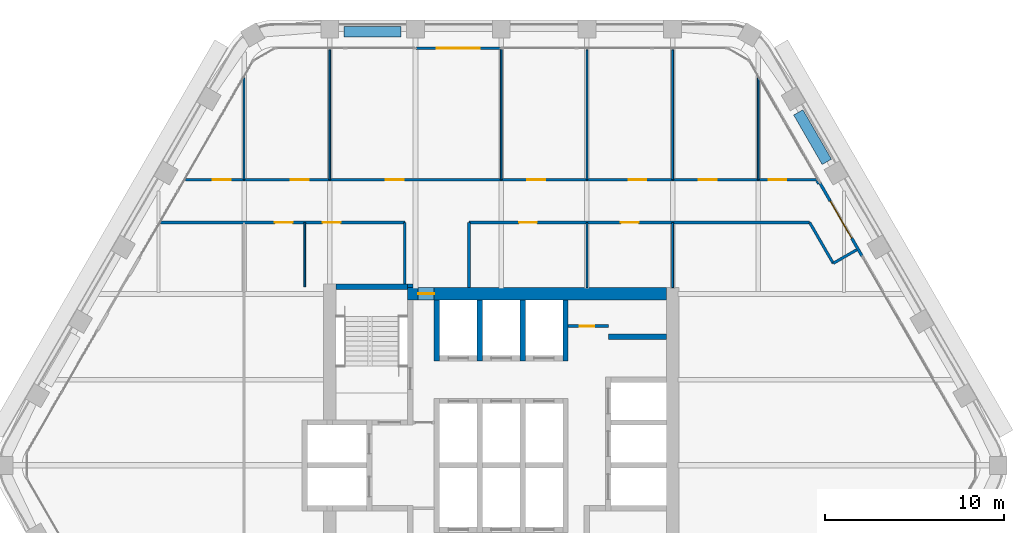
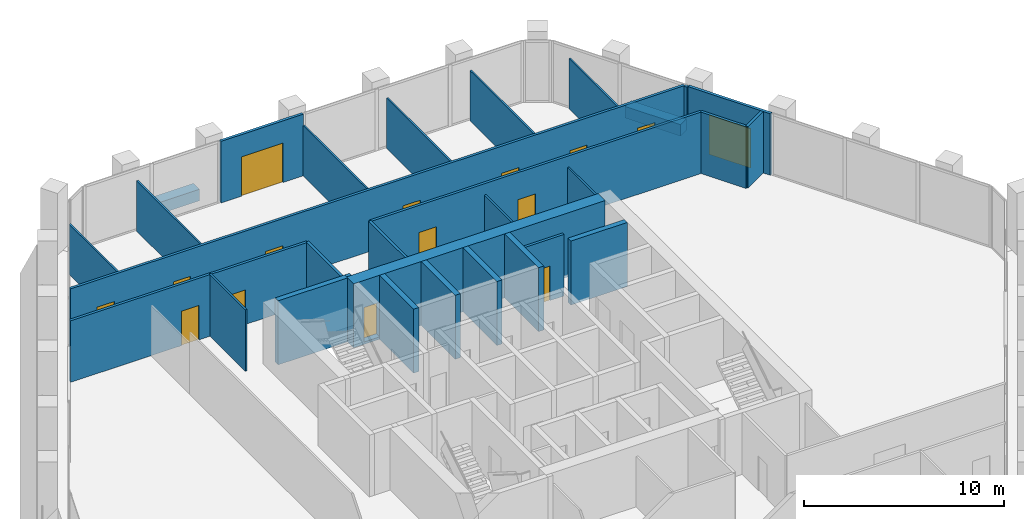
# One storey, part 11 of 15: 30 walls, 15 doors, 15 openings.
"""IFC4 building model written with IfcOpenShell, lengths in metres."""

from ifc_helpers import new_model, si_unit, direction, frame, frame_2d, origin, place, context, subcontext, project, spatial, rectangle, extrude, material, layer, layer_set, type_object, element, fill, save


model = new_model("IFC4")

# Units and contexts
model_context = context("Model", 3, precision=1e-05, world=origin(), true_north=direction((0.0, 1.0)))
body_context = subcontext(model_context, "Body", "Model", "MODEL_VIEW")
ifc_project = project(units=[si_unit("LENGTHUNIT", "METRE"), si_unit("AREAUNIT", "SQUARE_METRE"), si_unit("VOLUMEUNIT", "CUBIC_METRE"), si_unit("PLANEANGLEUNIT", "RADIAN"), si_unit("MASSUNIT", "GRAM", prefix="KILO")], contexts=[model_context])

# Site, building, storey
site_placement = place(None, origin())
site = spatial("IfcSite", under=ifc_project, at=site_placement, CompositionType="ELEMENT")
building_placement = place(site_placement, origin())
building = spatial("IfcBuilding", under=site, at=building_placement, Name="Kolab Exchange Tower", CompositionType="ELEMENT")
storey_placement = place(building_placement, frame((0.0, 0.0, 201.199951171875)))
storey = spatial("IfcBuildingStorey", under=building, at=storey_placement, Name="L43", CompositionType="ELEMENT", Elevation=201.199951171875)

# Wall, opening, door
ifc_material_1 = material(Name="Concrete C60/75", Category="concrete")
ifc_layer_1 = layer(ifc_material_1, 0.699951171875)
ifc_layer_set_1 = layer_set([ifc_layer_1], Name="Concrete C60/75")
wall_type_1 = type_object("IfcWallType", Name="CORE WALL 700 C60/75", PredefinedType="SHEAR", material=ifc_layer_set_1)
wall_1_placement = place(storey_placement, frame((-5.25, 9.60009765625, -0.14990234375), z_axis=(0.0, 0.0, 1.0), x_axis=(1.0, 0.0, 0.0)))
wall_1 = element("IfcWall", 1, at=wall_1_placement, inside=storey, type_object=wall_type_1, Name="wall/L43/core/031", PredefinedType="SHEAR", context=body_context, shape_type="SweptSolid", body=[
    extrude(rectangle(XDim=14.5, YDim=0.699951171875, at=frame_2d((7.25, 0.0))), origin(), (0.0, 0.0, 1.0), 3.89990234375),
])
opening_1_placement = place(wall_1_placement, frame((0.60009765625, 0.0, 0.14990234375)))
opening_1 = element("IfcOpeningElement", 2, at=opening_1_placement, cuts=wall_1, Name="Opening D6-289", PredefinedType="OPENING", context=body_context, shape_type="SweptSolid", body=[
    extrude(rectangle(XDim=0.89990234375, YDim=2.10009765625, at=frame_2d((0.449951171875, 1.050048828125))), frame((0.0, 0.35986328125, 0.0), z_axis=(0.0, -1.0, 0.0), x_axis=(1.0, 0.0, 0.0)), (0.0, 0.0, 1.0), 0.719970703125),
])
ifc_material_2 = material(Name="Steel S235", Category="steel")
door_type_1 = type_object("IfcDoorType", Name="CORE DOOR 900 EI 120", OperationType="SINGLE_SWING_LEFT", PredefinedType="DOOR", material=ifc_material_2)
door_1_placement = place(opening_1_placement, frame((0.89990234375, 0.0, 0.0), z_axis=(0.0, 0.0, 1.0), x_axis=(-1.0, 0.0, 0.0)))
door_1 = element("IfcDoor", 3, at=door_1_placement, inside=storey, type_object=door_type_1, Name="Core lobby door", OperationType="SINGLE_SWING_RIGHT", OverallHeight=2.10009765625, OverallWidth=0.89990234375, PredefinedType="DOOR", context=body_context, shape_type="SweptSolid", body=[
    extrude(rectangle(XDim=0.89990234375, YDim=2.10009765625, at=frame_2d((0.449951171875, 1.050048828125))), frame((0.0, 0.02490234375, 0.0), z_axis=(0.0, -1.0, 0.0), x_axis=(1.0, 0.0, 0.0)), (0.0, 0.0, 1.0), 0.050048828125),
])
fill(opening_1, door_1)

ifc_material_3 = material(Name="Aluminium EN AW-6063 T6", Category="aluminium")
ifc_layer_2 = layer(ifc_material_3, 0.159912109375)
ifc_layer_set_2 = layer_set([ifc_layer_2], Name="Aluminium EN AW-6063 T6")
wall_type_2 = type_object("IfcWallType", Name="DOOR SURROUND WALL 160 ALUMINIUM FRAMED", PredefinedType="PARTITIONING", material=ifc_layer_set_2)
wall_2_placement = place(storey_placement, frame((-4.77001953125, 23.361572265625, 0.0), z_axis=(0.0, 0.0, 1.0), x_axis=(1.0, 0.0, 0.0)))
wall_2 = element("IfcWall", 4, at=wall_2_placement, inside=storey, type_object=wall_type_2, Name="Door surround wall", PredefinedType="PARTITIONING", context=body_context, shape_type="SweptSolid", body=[
    extrude(rectangle(XDim=4.739990234375, YDim=0.159912109375, at=frame_2d((2.3701171875, 0.0))), origin(), (0.0, 0.0, 1.0), 3.75),
])
opening_2_placement = place(wall_2_placement, frame((1.169921875, 0.0, 0.0)))
opening_2 = element("IfcOpeningElement", 5, at=opening_2_placement, cuts=wall_2, Name="Opening GD1-064", PredefinedType="OPENING", context=body_context, shape_type="SweptSolid", body=[
    extrude(rectangle(XDim=2.39990234375, YDim=2.39990234375, at=frame_2d((1.199951171875, 1.199951171875))), frame((0.0, 0.08984375, 0.0), z_axis=(0.0, -1.0, 0.0), x_axis=(1.0, 0.0, 0.0)), (0.0, 0.0, 1.0), 0.179931640625),
])
door_type_2 = type_object("IfcDoorType", Name="LOGGIA SLIDING GLASS DOOR 2400 X 2400", OperationType="DOUBLE_DOOR_SINGLE_SWING", PredefinedType="DOOR", material=ifc_material_3)
door_2_placement = place(opening_2_placement, origin())
door_2 = element("IfcDoor", 6, at=door_2_placement, inside=storey, type_object=door_type_2, Name="Loggia door", OperationType="DOUBLE_DOOR_SLIDING", OverallHeight=2.39990234375, OverallWidth=2.39990234375, PredefinedType="DOOR", context=body_context, shape_type="SweptSolid", body=[
    extrude(rectangle(XDim=2.39990234375, YDim=2.39990234375, at=frame_2d((1.199951171875, 1.199951171875))), frame((0.0, 0.02490234375, 0.0), z_axis=(0.0, -1.0, 0.0), x_axis=(1.0, 0.0, 0.0)), (0.0, 0.0, 1.0), 0.050048828125),
])
fill(opening_2, door_2)

wall_3_placement = place(storey_placement, frame((17.8466796875, 15.811767578125, 0.0), z_axis=(0.0, 0.0, 1.0), x_axis=(0.5000167099, -0.866015756104, 0.0)))
wall_3 = element("IfcWall", 7, at=wall_3_placement, inside=storey, type_object=wall_type_2, Name="Door surround wall", PredefinedType="PARTITIONING", context=body_context, shape_type="SweptSolid", body=[
    extrude(rectangle(XDim=4.739990234375, YDim=0.159912109375, at=frame_2d((2.3701171875, 0.0))), origin(), (0.0, 0.0, 1.0), 3.75),
])
opening_3_placement = place(wall_3_placement, frame((1.169921875, 0.0, 0.0)))
opening_3 = element("IfcOpeningElement", 8, at=opening_3_placement, cuts=wall_3, Name="Opening GD1-065", PredefinedType="OPENING", context=body_context, shape_type="SweptSolid", body=[
    extrude(rectangle(XDim=2.39990234375, YDim=2.39990234375, at=frame_2d((1.199951171875, 1.199951171875))), frame((0.0, 0.08984375, 0.0), z_axis=(0.0, -1.0, 0.0), x_axis=(1.0, 0.0, 0.0)), (0.0, 0.0, 1.0), 0.179931640625),
])
door_3_placement = place(opening_3_placement, origin())
door_3 = element("IfcDoor", 9, at=door_3_placement, inside=storey, type_object=door_type_2, Name="Loggia door", OperationType="DOUBLE_DOOR_SLIDING", OverallHeight=2.39990234375, OverallWidth=2.39990234375, PredefinedType="DOOR", context=body_context, shape_type="SweptSolid", body=[
    extrude(rectangle(XDim=2.39990234375, YDim=2.39990234375, at=frame_2d((1.199951171875, 1.199951171875))), frame((0.0, 0.02490234375, 0.0), z_axis=(0.0, -1.0, 0.0), x_axis=(1.0, 0.0, 0.0)), (0.0, 0.0, 1.0), 0.050048828125),
])
fill(opening_3, door_3)

# Walls
wall_4_placement = place(storey_placement, frame((17.780029296875, 15.772216796875, 0.0), z_axis=(0.0, 0.0, 1.0), x_axis=(-0.499841654076, 0.866116805547, 0.0)))
element("IfcWall", 10, at=wall_4_placement, inside=storey, type_object=wall_type_2, Name="Door surround wall", PredefinedType="PARTITIONING", context=body_context, shape_type="SweptSolid", body=[
    extrude(rectangle(XDim=0.17724609375, YDim=0.159912109375, at=frame_2d((0.088623046875, 0.0))), origin(), (0.0, 0.0, 1.0), 3.75),
])
ifc_material_4 = material(Name="Concrete C50/60", Category="concrete")
ifc_layer_3 = layer(ifc_material_4, 0.300048828125)
ifc_layer_set_3 = layer_set([ifc_layer_3], Name="Concrete C50/60")
wall_type_3 = type_object("IfcWallType", Name="LIFT SHAFT WALL 300 C50/60", PredefinedType="STANDARD", material=ifc_layer_set_3)
wall_5_placement = place(storey_placement, frame((6.0, 7.199951171875, -0.14990234375), z_axis=(0.0, 0.0, 1.0), x_axis=(1.0, 0.0, 0.0)))
element("IfcWall", 11, at=wall_5_placement, inside=storey, type_object=wall_type_3, Name="wall/L43/core/030", PredefinedType="STANDARD", context=body_context, shape_type="SweptSolid", body=[
    extrude(rectangle(XDim=3.25, YDim=0.300048828125, at=frame_2d((1.625, 0.0))), origin(), (0.0, 0.0, 1.0), 3.89990234375),
])
for number, where, z_axis, x_axis, name in (
    (12, (-3.60009765625, 5.85009765625, -0.14990234375), (0.0, 0.0, 1.0), (0.0, 1.0, 0.0), "wall/L43/core/045"),
    (13, (-1.199951171875, 5.85009765625, -0.14990234375), (0.0, 0.0, 1.0), (0.0, 1.0, 0.0), "wall/L43/core/048"),
    (14, (1.199951171875, 5.85009765625, -0.14990234375), (0.0, 0.0, 1.0), (0.0, 1.0, 0.0), "wall/L43/core/051"),
    (15, (3.60009765625, 5.85009765625, -0.14990234375), (0.0, 0.0, 1.0), (0.0, 1.0, 0.0), "wall/L43/core/054"),
):
    element("IfcWall", number, at=place(storey_placement, frame(where, z_axis=z_axis, x_axis=x_axis)), inside=storey, type_object=wall_type_3, Name=name, PredefinedType="STANDARD", context=body_context, shape_type="SweptSolid", body=[
        extrude(rectangle(XDim=3.39990234375, YDim=0.300048828125, at=frame_2d((1.699951171875, 0.0))), origin(), (0.0, 0.0, 1.0), 3.89990234375),
    ])
ifc_material_5 = material(Name="Gypsum board", Category="gypsum")
ifc_layer_4 = layer(ifc_material_5, 0.10009765625)
ifc_layer_set_4 = layer_set([ifc_layer_4], Name="Gypsum board")
wall_type_4 = type_object("IfcWallType", Name="PARTITION 100", PredefinedType="PARTITIONING", material=ifc_layer_set_4)
wall_6_placement = place(storey_placement, frame((14.39990234375, 16.0, 0.0), z_axis=(0.0, 0.0, 1.0), x_axis=(0.0, 1.0, 0.0)))
element("IfcWall", 16, at=wall_6_placement, inside=storey, type_object=wall_type_4, Name="Partition 000", PredefinedType="PARTITIONING", context=body_context, shape_type="SweptSolid", body=[
    extrude(rectangle(XDim=5.701416015625, YDim=0.10009765625, at=frame_2d((2.8505859375, 0.0))), origin(), (0.0, 0.0, 1.0), 3.066162109375),
])
wall_7_placement = place(storey_placement, frame((9.60009765625, 9.949951171875, 0.0), z_axis=(0.0, 0.0, 1.0), x_axis=(0.0, 1.0, 0.0)))
element("IfcWall", 17, at=wall_7_placement, inside=storey, type_object=wall_type_4, Name="Partition 003", PredefinedType="PARTITIONING", context=body_context, shape_type="SweptSolid", body=[
    extrude(rectangle(XDim=3.650146484375, YDim=0.10009765625, at=frame_2d((1.8251953125, 0.0))), origin(), (0.0, 0.0, 1.0), 3.066162109375),
])
wall_8_placement = place(storey_placement, frame((9.60009765625, 16.0, 0.0), z_axis=(0.0, 0.0, 1.0), x_axis=(0.0, 1.0, 0.0)))
element("IfcWall", 18, at=wall_8_placement, inside=storey, type_object=wall_type_4, Name="Partition 004", PredefinedType="PARTITIONING", context=body_context, shape_type="SweptSolid", body=[
    extrude(rectangle(XDim=7.271484375, YDim=0.10009765625, at=frame_2d((3.6357421875, 0.0))), origin(), (0.0, 0.0, 1.0), 3.066162109375),
])
wall_9_placement = place(storey_placement, frame((4.800048828125, 9.949951171875, 0.0), z_axis=(0.0, 0.0, 1.0), x_axis=(0.0, 1.0, 0.0)))
element("IfcWall", 19, at=wall_9_placement, inside=storey, type_object=wall_type_4, Name="Partition 006", PredefinedType="PARTITIONING", context=body_context, shape_type="SweptSolid", body=[
    extrude(rectangle(XDim=3.650146484375, YDim=0.10009765625, at=frame_2d((1.8251953125, 0.0))), origin(), (0.0, 0.0, 1.0), 3.066162109375),
])
wall_10_placement = place(storey_placement, frame((4.800048828125, 16.0, 0.0), z_axis=(0.0, 0.0, 1.0), x_axis=(0.0, 1.0, 0.0)))
element("IfcWall", 20, at=wall_10_placement, inside=storey, type_object=wall_type_4, Name="Partition 007", PredefinedType="PARTITIONING", context=body_context, shape_type="SweptSolid", body=[
    extrude(rectangle(XDim=7.271484375, YDim=0.10009765625, at=frame_2d((3.6357421875, 0.0))), origin(), (0.0, 0.0, 1.0), 3.066162109375),
])
wall_11_placement = place(storey_placement, frame((0.0, 16.0, 0.0), z_axis=(0.0, 0.0, 1.0), x_axis=(0.0, 1.0, 0.0)))
element("IfcWall", 21, at=wall_11_placement, inside=storey, type_object=wall_type_4, Name="Partition 011", PredefinedType="PARTITIONING", context=body_context, shape_type="SweptSolid", body=[
    extrude(rectangle(XDim=7.281494140625, YDim=0.10009765625, at=frame_2d((3.640625, 0.0))), origin(), (0.0, 0.0, 1.0), 3.066162109375),
])
wall_12_placement = place(storey_placement, frame((-9.60009765625, 16.0, 0.0), z_axis=(0.0, 0.0, 1.0), x_axis=(0.0, 1.0, 0.0)))
element("IfcWall", 22, at=wall_12_placement, inside=storey, type_object=wall_type_4, Name="Partition 018", PredefinedType="PARTITIONING", context=body_context, shape_type="SweptSolid", body=[
    extrude(rectangle(XDim=7.271484375, YDim=0.10009765625, at=frame_2d((3.6357421875, 0.0))), origin(), (0.0, 0.0, 1.0), 3.066162109375),
])
wall_13_placement = place(storey_placement, frame((-11.0, 10.0, 0.0), z_axis=(0.0, 0.0, 1.0), x_axis=(0.0, 1.0, 0.0)))
element("IfcWall", 23, at=wall_13_placement, inside=storey, type_object=wall_type_4, Name="Partition 021", PredefinedType="PARTITIONING", context=body_context, shape_type="SweptSolid", body=[
    extrude(rectangle(XDim=3.60009765625, YDim=0.10009765625, at=frame_2d((1.800048828125, 0.0))), origin(), (0.0, 0.0, 1.0), 3.75),
])
wall_14_placement = place(storey_placement, frame((-14.39990234375, 16.0, 0.0), z_axis=(0.0, 0.0, 1.0), x_axis=(0.0, 1.0, 0.0)))
element("IfcWall", 24, at=wall_14_placement, inside=storey, type_object=wall_type_4, Name="Partition 023", PredefinedType="PARTITIONING", context=body_context, shape_type="SweptSolid", body=[
    extrude(rectangle(XDim=5.701416015625, YDim=0.10009765625, at=frame_2d((2.8505859375, 0.0))), origin(), (0.0, 0.0, 1.0), 3.066162109375),
])
ifc_layer_5 = layer(ifc_material_5, 0.14990234375)
ifc_layer_set_5 = layer_set([ifc_layer_5], Name="Gypsum board")
wall_type_5 = type_object("IfcWallType", Name="PARTITION 150 FIRE-RATED", PredefinedType="PARTITIONING", material=ifc_layer_set_5)
wall_15_placement = place(storey_placement, frame((-1.800048828125, 9.949951171875, 0.0), z_axis=(0.0, 0.0, 1.0), x_axis=(0.0, 1.0, 0.0)))
element("IfcWall", 25, at=wall_15_placement, inside=storey, type_object=wall_type_5, Name="Partition 012", PredefinedType="PARTITIONING", context=body_context, shape_type="SweptSolid", body=[
    extrude(rectangle(XDim=3.650146484375, YDim=0.14990234375, at=frame_2d((1.8251953125, 0.0))), origin(), (0.0, 0.0, 1.0), 3.75),
])
wall_16_placement = place(storey_placement, frame((-5.39990234375, 10.14990234375, 0.0), z_axis=(0.0, 0.0, 1.0), x_axis=(0.0, 1.0, 0.0)))
element("IfcWall", 26, at=wall_16_placement, inside=storey, type_object=wall_type_5, Name="Partition 016", PredefinedType="PARTITIONING", context=body_context, shape_type="SweptSolid", body=[
    extrude(rectangle(XDim=3.4501953125, YDim=0.14990234375, at=frame_2d((1.72509765625, 0.0))), origin(), (0.0, 0.0, 1.0), 3.75),
])
wall_17_placement = place(storey_placement, frame((17.276123046875, 13.60009765625, 0.0), z_axis=(0.0, 0.0, 1.0), x_axis=(0.499938597367, -0.866060851709, 0.0)))
element("IfcWall", 27, at=wall_17_placement, inside=storey, type_object=wall_type_5, Name="Partition 025", PredefinedType="PARTITIONING", context=body_context, shape_type="SweptSolid", body=[
    extrude(rectangle(XDim=2.639892578125, YDim=0.14990234375, at=frame_2d((1.31982421875, 0.0))), origin(), (0.0, 0.0, 1.0), 3.75),
])
wall_18_placement = place(storey_placement, frame((18.595947265625, 11.313720703125, 0.0), z_axis=(0.0, 0.0, 1.0), x_axis=(0.866030456496, 0.499991248344, 0.0)))
element("IfcWall", 28, at=wall_18_placement, inside=storey, type_object=wall_type_5, Name="Partition 027", PredefinedType="PARTITIONING", context=body_context, shape_type="SweptSolid", body=[
    extrude(rectangle(XDim=1.52001953125, YDim=0.14990234375, at=frame_2d((0.760009765625, 0.0))), origin(), (0.0, 0.0, 1.0), 3.75),
])

# Wall, opening, door
wall_19_placement = place(storey_placement, frame((3.75, 7.800048828125, 0.0), z_axis=(0.0, 0.0, 1.0), x_axis=(1.0, 0.0, 0.0)))
wall_19 = element("IfcWall", 29, at=wall_19_placement, inside=storey, type_object=wall_type_5, Name="Partition 033", PredefinedType="PARTITIONING", context=body_context, shape_type="SweptSolid", body=[
    extrude(rectangle(XDim=2.25, YDim=0.14990234375, at=frame_2d((1.125, 0.0))), origin(), (0.0, 0.0, 1.0), 3.75),
])
opening_4_placement = place(wall_19_placement, frame((0.64990234375, 0.0, 0.0)))
opening_4 = element("IfcOpeningElement", 30, at=opening_4_placement, cuts=wall_19, Name="Opening D7-035", PredefinedType="OPENING", context=body_context, shape_type="SweptSolid", body=[
    extrude(rectangle(XDim=0.800048828125, YDim=2.10009765625, at=frame_2d((0.39990234375, 1.050048828125))), frame((0.0, 0.0849609375, 0.0), z_axis=(0.0, -1.0, 0.0), x_axis=(1.0, 0.0, 0.0)), (0.0, 0.0, 1.0), 0.169921875),
])
door_type_3 = type_object("IfcDoorType", Name="FLUSH DOOR 800 FD60", OperationType="SINGLE_SWING_LEFT", PredefinedType="DOOR", material=ifc_material_2)
door_4_placement = place(opening_4_placement, origin())
door_4 = element("IfcDoor", 31, at=door_4_placement, inside=storey, type_object=door_type_3, Name="Door L43-023", OperationType="SINGLE_SWING_LEFT", OverallHeight=2.10009765625, OverallWidth=0.800048828125, PredefinedType="DOOR", context=body_context, shape_type="SweptSolid", body=[
    extrude(rectangle(XDim=0.800048828125, YDim=2.10009765625, at=frame_2d((0.39990234375, 1.050048828125))), frame((0.0, 0.02490234375, 0.0), z_axis=(0.0, -1.0, 0.0), x_axis=(1.0, 0.0, 0.0)), (0.0, 0.0, 1.0), 0.050048828125),
])
fill(opening_4, door_4)

# Wall, openings, doors
wall_20_placement = place(storey_placement, frame((-19.077392578125, 13.60009765625, 0.0), z_axis=(0.0, 0.0, 1.0), x_axis=(1.0, 0.0, 0.0)))
wall_20 = element("IfcWall", 32, at=wall_20_placement, inside=storey, type_object=wall_type_5, Name="Partition 034", PredefinedType="PARTITIONING", context=body_context, shape_type="SweptSolid", body=[
    extrude(rectangle(XDim=13.677490234375, YDim=0.14990234375, at=frame_2d((6.8388671875, 0.0))), origin(), (0.0, 0.0, 1.0), 3.75),
])
opening_5_placement = place(wall_20_placement, frame((9.08251953125, 0.0, 0.0)))
opening_5 = element("IfcOpeningElement", 33, at=opening_5_placement, cuts=wall_20, Name="Opening D1-570", PredefinedType="OPENING", context=body_context, shape_type="SweptSolid", body=[
    extrude(rectangle(XDim=1.0, YDim=2.10009765625, at=frame_2d((0.5, 1.050048828125))), frame((0.0, 0.0849609375, 0.0), z_axis=(0.0, -1.0, 0.0), x_axis=(1.0, 0.0, 0.0)), (0.0, 0.0, 1.0), 0.169921875),
])
opening_6_placement = place(wall_20_placement, frame((6.40234375, 0.0, 0.0)))
opening_6 = element("IfcOpeningElement", 34, at=opening_6_placement, cuts=wall_20, Name="Opening D1-493", PredefinedType="OPENING", context=body_context, shape_type="SweptSolid", body=[
    extrude(rectangle(XDim=1.0, YDim=2.10009765625, at=frame_2d((0.5, 1.050048828125))), frame((0.0, 0.0849609375, 0.0), z_axis=(0.0, -1.0, 0.0), x_axis=(1.0, 0.0, 0.0)), (0.0, 0.0, 1.0), 0.169921875),
])
door_type_4 = type_object("IfcDoorType", Name="FLUSH DOOR 1000 FD60", OperationType="SINGLE_SWING_LEFT", PredefinedType="DOOR", material=ifc_material_2)
door_5_placement = place(opening_5_placement, frame((1.0, 0.0, 0.0), z_axis=(0.0, 0.0, 1.0), x_axis=(-1.0, 0.0, 0.0)))
door_5 = element("IfcDoor", 35, at=door_5_placement, inside=storey, type_object=door_type_4, Name="Door L43-033", OperationType="SINGLE_SWING_LEFT", OverallHeight=2.10009765625, OverallWidth=1.0, PredefinedType="DOOR", context=body_context, shape_type="SweptSolid", body=[
    extrude(rectangle(XDim=1.0, YDim=2.10009765625, at=frame_2d((0.5, 1.050048828125))), frame((0.0, 0.02490234375, 0.0), z_axis=(0.0, -1.0, 0.0), x_axis=(1.0, 0.0, 0.0)), (0.0, 0.0, 1.0), 0.050048828125),
])
fill(opening_5, door_5)
door_6_placement = place(opening_6_placement, frame((1.0, 0.0, 0.0), z_axis=(0.0, 0.0, 1.0), x_axis=(-1.0, 0.0, 0.0)))
door_6 = element("IfcDoor", 36, at=door_6_placement, inside=storey, type_object=door_type_4, Name="Door L43-053", OperationType="SINGLE_SWING_RIGHT", OverallHeight=2.10009765625, OverallWidth=1.0, PredefinedType="DOOR", context=body_context, shape_type="SweptSolid", body=[
    extrude(rectangle(XDim=1.0, YDim=2.10009765625, at=frame_2d((0.5, 1.050048828125))), frame((0.0, 0.02490234375, 0.0), z_axis=(0.0, -1.0, 0.0), x_axis=(1.0, 0.0, 0.0)), (0.0, 0.0, 1.0), 0.050048828125),
])
fill(opening_6, door_6)

wall_21_placement = place(storey_placement, frame((-1.800048828125, 13.60009765625, 0.0), z_axis=(0.0, 0.0, 1.0), x_axis=(1.0, 0.0, 0.0)))
wall_21 = element("IfcWall", 37, at=wall_21_placement, inside=storey, type_object=wall_type_5, Name="Partition 035", PredefinedType="PARTITIONING", context=body_context, shape_type="SweptSolid", body=[
    extrude(rectangle(XDim=19.076171875, YDim=0.14990234375, at=frame_2d((9.5380859375, 0.0))), origin(), (0.0, 0.0, 1.0), 3.75),
])
opening_7_placement = place(wall_21_placement, frame((2.800048828125, 0.0, 0.0)))
opening_7 = element("IfcOpeningElement", 38, at=opening_7_placement, cuts=wall_21, Name="Opening D1-473", PredefinedType="OPENING", context=body_context, shape_type="SweptSolid", body=[
    extrude(rectangle(XDim=1.0, YDim=2.10009765625, at=frame_2d((0.5, 1.050048828125))), frame((0.0, 0.0849609375, 0.0), z_axis=(0.0, -1.0, 0.0), x_axis=(1.0, 0.0, 0.0)), (0.0, 0.0, 1.0), 0.169921875),
])
opening_8_placement = place(wall_21_placement, frame((8.5, 0.0, 0.0)))
opening_8 = element("IfcOpeningElement", 39, at=opening_8_placement, cuts=wall_21, Name="Opening D1-569", PredefinedType="OPENING", context=body_context, shape_type="SweptSolid", body=[
    extrude(rectangle(XDim=1.0, YDim=2.10009765625, at=frame_2d((0.5, 1.050048828125))), frame((0.0, 0.0849609375, 0.0), z_axis=(0.0, -1.0, 0.0), x_axis=(1.0, 0.0, 0.0)), (0.0, 0.0, 1.0), 0.169921875),
])
door_7_placement = place(opening_7_placement, frame((1.0, 0.0, 0.0), z_axis=(0.0, 0.0, 1.0), x_axis=(-1.0, 0.0, 0.0)))
door_7 = element("IfcDoor", 40, at=door_7_placement, inside=storey, type_object=door_type_4, Name="Door L43-031", OperationType="SINGLE_SWING_LEFT", OverallHeight=2.10009765625, OverallWidth=1.0, PredefinedType="DOOR", context=body_context, shape_type="SweptSolid", body=[
    extrude(rectangle(XDim=1.0, YDim=2.10009765625, at=frame_2d((0.5, 1.050048828125))), frame((0.0, 0.02490234375, 0.0), z_axis=(0.0, -1.0, 0.0), x_axis=(1.0, 0.0, 0.0)), (0.0, 0.0, 1.0), 0.050048828125),
])
fill(opening_7, door_7)
door_8_placement = place(opening_8_placement, frame((1.0, 0.0, 0.0), z_axis=(0.0, 0.0, 1.0), x_axis=(-1.0, 0.0, 0.0)))
door_8 = element("IfcDoor", 41, at=door_8_placement, inside=storey, type_object=door_type_4, Name="Door L43-032", OperationType="SINGLE_SWING_RIGHT", OverallHeight=2.10009765625, OverallWidth=1.0, PredefinedType="DOOR", context=body_context, shape_type="SweptSolid", body=[
    extrude(rectangle(XDim=1.0, YDim=2.10009765625, at=frame_2d((0.5, 1.050048828125))), frame((0.0, 0.02490234375, 0.0), z_axis=(0.0, -1.0, 0.0), x_axis=(1.0, 0.0, 0.0)), (0.0, 0.0, 1.0), 0.050048828125),
])
fill(opening_8, door_8)

wall_22_placement = place(storey_placement, frame((-17.69189453125, 16.0, 0.0), z_axis=(0.0, 0.0, 1.0), x_axis=(1.0, 0.0, 0.0)))
wall_22 = element("IfcWall", 42, at=wall_22_placement, inside=storey, type_object=wall_type_5, Name="Partition 036", PredefinedType="PARTITIONING", context=body_context, shape_type="SweptSolid", body=[
    extrude(rectangle(XDim=35.3837890625, YDim=0.14990234375, at=frame_2d((17.69189453125, 0.0))), origin(), (0.0, 0.0, 1.0), 3.75),
])
opening_9_placement = place(wall_22_placement, frame((1.5341796875, 0.0, 0.0)))
opening_9 = element("IfcOpeningElement", 43, at=opening_9_placement, cuts=wall_22, Name="Opening D1-572", PredefinedType="OPENING", context=body_context, shape_type="SweptSolid", body=[
    extrude(rectangle(XDim=1.0, YDim=2.10009765625, at=frame_2d((0.5, 1.050048828125))), frame((0.0, 0.0849609375, 0.0), z_axis=(0.0, -1.0, 0.0), x_axis=(1.0, 0.0, 0.0)), (0.0, 0.0, 1.0), 0.169921875),
])
opening_10_placement = place(wall_22_placement, frame((5.916748046875, 0.0, 0.0)))
opening_10 = element("IfcOpeningElement", 44, at=opening_10_placement, cuts=wall_22, Name="Opening D1-573", PredefinedType="OPENING", context=body_context, shape_type="SweptSolid", body=[
    extrude(rectangle(XDim=1.0, YDim=2.10009765625, at=frame_2d((0.5, 1.050048828125))), frame((0.0, 0.0849609375, 0.0), z_axis=(0.0, -1.0, 0.0), x_axis=(1.0, 0.0, 0.0)), (0.0, 0.0, 1.0), 0.169921875),
])
opening_11_placement = place(wall_22_placement, frame((11.23681640625, 0.0, 0.0)))
opening_11 = element("IfcOpeningElement", 45, at=opening_11_placement, cuts=wall_22, Name="Opening D1-574", PredefinedType="OPENING", context=body_context, shape_type="SweptSolid", body=[
    extrude(rectangle(XDim=1.0, YDim=2.10009765625, at=frame_2d((0.5, 1.050048828125))), frame((0.0, 0.0849609375, 0.0), z_axis=(0.0, -1.0, 0.0), x_axis=(1.0, 0.0, 0.0)), (0.0, 0.0, 1.0), 0.169921875),
])
opening_12_placement = place(wall_22_placement, frame((19.15673828125, 0.0, 0.0)))
opening_12 = element("IfcOpeningElement", 46, at=opening_12_placement, cuts=wall_22, Name="Opening D1-575", PredefinedType="OPENING", context=body_context, shape_type="SweptSolid", body=[
    extrude(rectangle(XDim=1.0, YDim=2.10009765625, at=frame_2d((0.5, 1.050048828125))), frame((0.0, 0.0849609375, 0.0), z_axis=(0.0, -1.0, 0.0), x_axis=(1.0, 0.0, 0.0)), (0.0, 0.0, 1.0), 0.169921875),
])
opening_13_placement = place(wall_22_placement, frame((24.826904296875, 0.0, 0.0)))
opening_13 = element("IfcOpeningElement", 47, at=opening_13_placement, cuts=wall_22, Name="Opening D1-576", PredefinedType="OPENING", context=body_context, shape_type="SweptSolid", body=[
    extrude(rectangle(XDim=1.0, YDim=2.10009765625, at=frame_2d((0.5, 1.050048828125))), frame((0.0, 0.0849609375, 0.0), z_axis=(0.0, -1.0, 0.0), x_axis=(1.0, 0.0, 0.0)), (0.0, 0.0, 1.0), 0.169921875),
])
opening_14_placement = place(wall_22_placement, frame((28.7568359375, 0.0, 0.0)))
opening_14 = element("IfcOpeningElement", 48, at=opening_14_placement, cuts=wall_22, Name="Opening D1-577", PredefinedType="OPENING", context=body_context, shape_type="SweptSolid", body=[
    extrude(rectangle(XDim=1.0, YDim=2.10009765625, at=frame_2d((0.5, 1.050048828125))), frame((0.0, 0.0849609375, 0.0), z_axis=(0.0, -1.0, 0.0), x_axis=(1.0, 0.0, 0.0)), (0.0, 0.0, 1.0), 0.169921875),
])
opening_15_placement = place(wall_22_placement, frame((32.66650390625, 0.0, 0.0)))
opening_15 = element("IfcOpeningElement", 49, at=opening_15_placement, cuts=wall_22, Name="Opening D1-578", PredefinedType="OPENING", context=body_context, shape_type="SweptSolid", body=[
    extrude(rectangle(XDim=1.0, YDim=2.10009765625, at=frame_2d((0.5, 1.050048828125))), frame((0.0, 0.0849609375, 0.0), z_axis=(0.0, -1.0, 0.0), x_axis=(1.0, 0.0, 0.0)), (0.0, 0.0, 1.0), 0.169921875),
])
door_9_placement = place(opening_9_placement, origin())
door_9 = element("IfcDoor", 50, at=door_9_placement, inside=storey, type_object=door_type_4, Name="Door L43-038", OperationType="SINGLE_SWING_RIGHT", OverallHeight=2.10009765625, OverallWidth=1.0, PredefinedType="DOOR", context=body_context, shape_type="SweptSolid", body=[
    extrude(rectangle(XDim=1.0, YDim=2.10009765625, at=frame_2d((0.5, 1.050048828125))), frame((0.0, 0.02490234375, 0.0), z_axis=(0.0, -1.0, 0.0), x_axis=(1.0, 0.0, 0.0)), (0.0, 0.0, 1.0), 0.050048828125),
])
fill(opening_9, door_9)
door_10_placement = place(opening_10_placement, origin())
door_10 = element("IfcDoor", 51, at=door_10_placement, inside=storey, type_object=door_type_4, Name="Door L43-039", OperationType="SINGLE_SWING_RIGHT", OverallHeight=2.10009765625, OverallWidth=1.0, PredefinedType="DOOR", context=body_context, shape_type="SweptSolid", body=[
    extrude(rectangle(XDim=1.0, YDim=2.10009765625, at=frame_2d((0.5, 1.050048828125))), frame((0.0, 0.02490234375, 0.0), z_axis=(0.0, -1.0, 0.0), x_axis=(1.0, 0.0, 0.0)), (0.0, 0.0, 1.0), 0.050048828125),
])
fill(opening_10, door_10)
door_11_placement = place(opening_11_placement, origin())
door_11 = element("IfcDoor", 52, at=door_11_placement, inside=storey, type_object=door_type_4, Name="Door L43-040", OperationType="SINGLE_SWING_LEFT", OverallHeight=2.10009765625, OverallWidth=1.0, PredefinedType="DOOR", context=body_context, shape_type="SweptSolid", body=[
    extrude(rectangle(XDim=1.0, YDim=2.10009765625, at=frame_2d((0.5, 1.050048828125))), frame((0.0, 0.02490234375, 0.0), z_axis=(0.0, -1.0, 0.0), x_axis=(1.0, 0.0, 0.0)), (0.0, 0.0, 1.0), 0.050048828125),
])
fill(opening_11, door_11)
door_12_placement = place(opening_12_placement, origin())
door_12 = element("IfcDoor", 53, at=door_12_placement, inside=storey, type_object=door_type_4, Name="Door L43-041", OperationType="SINGLE_SWING_LEFT", OverallHeight=2.10009765625, OverallWidth=1.0, PredefinedType="DOOR", context=body_context, shape_type="SweptSolid", body=[
    extrude(rectangle(XDim=1.0, YDim=2.10009765625, at=frame_2d((0.5, 1.050048828125))), frame((0.0, 0.02490234375, 0.0), z_axis=(0.0, -1.0, 0.0), x_axis=(1.0, 0.0, 0.0)), (0.0, 0.0, 1.0), 0.050048828125),
])
fill(opening_12, door_12)
door_13_placement = place(opening_13_placement, origin())
door_13 = element("IfcDoor", 54, at=door_13_placement, inside=storey, type_object=door_type_4, Name="Door L43-042", OperationType="SINGLE_SWING_RIGHT", OverallHeight=2.10009765625, OverallWidth=1.0, PredefinedType="DOOR", context=body_context, shape_type="SweptSolid", body=[
    extrude(rectangle(XDim=1.0, YDim=2.10009765625, at=frame_2d((0.5, 1.050048828125))), frame((0.0, 0.02490234375, 0.0), z_axis=(0.0, -1.0, 0.0), x_axis=(1.0, 0.0, 0.0)), (0.0, 0.0, 1.0), 0.050048828125),
])
fill(opening_13, door_13)
door_14_placement = place(opening_14_placement, origin())
door_14 = element("IfcDoor", 55, at=door_14_placement, inside=storey, type_object=door_type_4, Name="Door L43-043", OperationType="SINGLE_SWING_LEFT", OverallHeight=2.10009765625, OverallWidth=1.0, PredefinedType="DOOR", context=body_context, shape_type="SweptSolid", body=[
    extrude(rectangle(XDim=1.0, YDim=2.10009765625, at=frame_2d((0.5, 1.050048828125))), frame((0.0, 0.02490234375, 0.0), z_axis=(0.0, -1.0, 0.0), x_axis=(1.0, 0.0, 0.0)), (0.0, 0.0, 1.0), 0.050048828125),
])
fill(opening_14, door_14)
door_15_placement = place(opening_15_placement, origin())
door_15 = element("IfcDoor", 56, at=door_15_placement, inside=storey, type_object=door_type_4, Name="Door L43-044", OperationType="SINGLE_SWING_LEFT", OverallHeight=2.10009765625, OverallWidth=1.0, PredefinedType="DOOR", context=body_context, shape_type="SweptSolid", body=[
    extrude(rectangle(XDim=1.0, YDim=2.10009765625, at=frame_2d((0.5, 1.050048828125))), frame((0.0, 0.02490234375, 0.0), z_axis=(0.0, -1.0, 0.0), x_axis=(1.0, 0.0, 0.0)), (0.0, 0.0, 1.0), 0.050048828125),
])
fill(opening_15, door_15)

# Walls
ifc_material_6 = material(Name="Granite facing", Category="masonry")
ifc_layer_6 = layer(ifc_material_6, 0.0400390625)
ifc_material_7 = material(Name="Concrete C40/50 precast", Category="concrete")
ifc_layer_7 = layer(ifc_material_7, 0.56005859375)
ifc_layer_set_6 = layer_set([ifc_layer_6, ifc_layer_7], Name="Concrete C40/50 precast")
wall_type_6 = type_object("IfcWallType", Name="PLANTER BOX 600 X 700 SOIL DEPTH 550", PredefinedType="USERDEFINED", material=ifc_layer_set_6)
for number, where, z_axis, x_axis, name in (
    (57, (-8.800048828125, 24.29150390625, 0.0), (0.0, 0.0, 1.0), (1.0, 0.0, 0.0), "Planter"),
    (58, (16.636962890625, 19.766845703125, 0.0), (0.0, 0.0, 1.0), (0.500028443584, -0.866008981251, 0.0), "Planter"),
):
    element("IfcWall", number, at=place(storey_placement, frame(where, z_axis=z_axis, x_axis=x_axis)), inside=storey, type_object=wall_type_6, Name=name, ObjectType="PLANTER", PredefinedType="USERDEFINED", context=body_context, shape_type="SweptSolid", body=[
        extrude(rectangle(XDim=3.199951171875, YDim=0.60009765625, at=frame_2d((1.60009765625, 0.0))), origin(), (0.0, 0.0, 1.0), 0.699951171875),
    ])
ifc_layer_8 = layer(ifc_material_4, 0.300048828125)
ifc_layer_set_7 = layer_set([ifc_layer_8], Name="Concrete C50/60")
wall_type_7 = type_object("IfcWallType", Name="STAIR ENCLOSURE WALL 300 C50/60", PredefinedType="STANDARD", material=ifc_layer_set_7)
wall_23_placement = place(storey_placement, frame((-9.25, 10.0, -0.14990234375), z_axis=(0.0, 0.0, 1.0), x_axis=(1.0, 0.0, 0.0)))
element("IfcWall", 59, at=wall_23_placement, inside=storey, type_object=wall_type_7, Name="wall/L43/core/032", PredefinedType="STANDARD", context=body_context, shape_type="SweptSolid", body=[
    extrude(rectangle(XDim=4.0, YDim=0.300048828125, at=frame_2d((2.0, 0.0))), origin(), (0.0, 0.0, 1.0), 3.89990234375),
])
wall_24_placement = place(storey_placement, frame((-5.10009765625, 9.949951171875, -0.14990234375), z_axis=(0.0, 0.0, 1.0), x_axis=(0.0, 1.0, 0.0)))
element("IfcWall", 60, at=wall_24_placement, inside=storey, type_object=wall_type_7, Name="wall/L43/core/042", PredefinedType="STANDARD", context=body_context, shape_type="SweptSolid", body=[
    extrude(rectangle(XDim=0.199951171875, YDim=0.300048828125, at=frame_2d((0.10009765625, 0.0))), origin(), (0.0, 0.0, 1.0), 3.89990234375),
])

save(model, "model.ifc")
